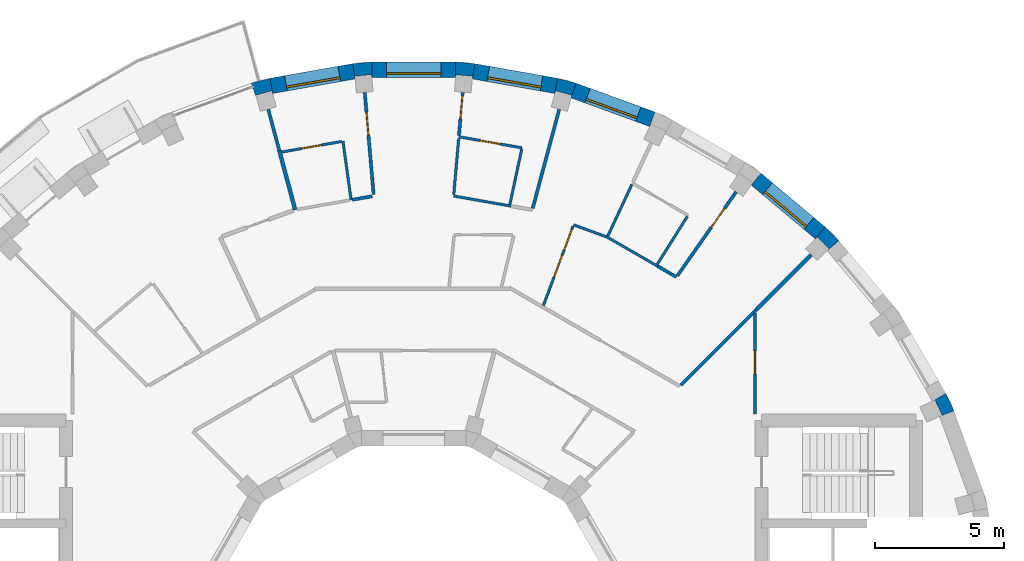
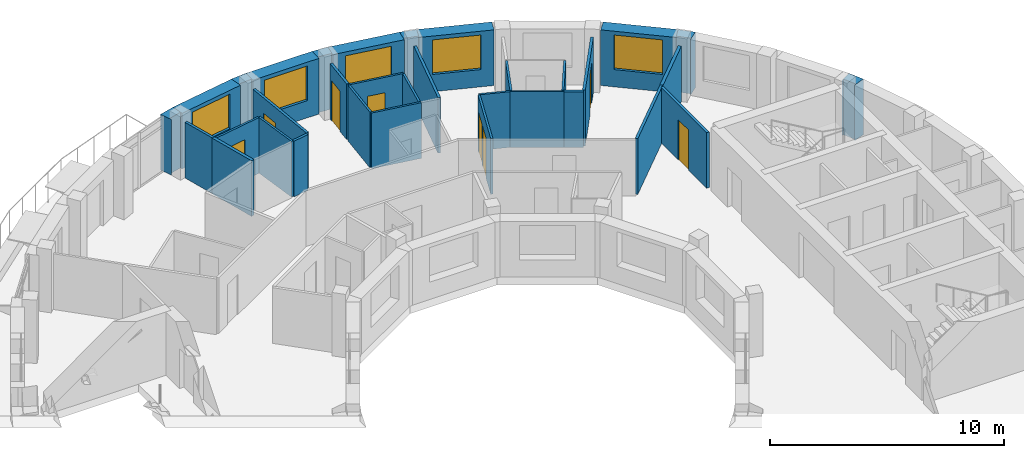
# One storey, part 10 of 12: 33 walls, 8 doors, 5 windows, 13 openings.
"""IFC4 building model written with IfcOpenShell, lengths in metres."""

from ifc_helpers import new_model, si_unit, direction, frame, frame_2d, origin, place, context, subcontext, project, spatial, polyline, rectangle, outline, extrude, material, layer, layer_set, type_object, element, fill, save


model = new_model("IFC4")

# Units and contexts
model_context = context("Model", 3, precision=1e-05, world=origin(), true_north=direction((0.0, 1.0)))
body_context = subcontext(model_context, "Body", "Model", "MODEL_VIEW")
ifc_project = project(units=[si_unit("LENGTHUNIT", "METRE"), si_unit("AREAUNIT", "SQUARE_METRE"), si_unit("VOLUMEUNIT", "CUBIC_METRE"), si_unit("PLANEANGLEUNIT", "RADIAN"), si_unit("MASSUNIT", "GRAM", prefix="KILO")], contexts=[model_context])

# Site, building, storey
site_placement = place(None, origin())
site = spatial("IfcSite", under=ifc_project, at=site_placement, CompositionType="ELEMENT")
building_placement = place(site_placement, origin())
building = spatial("IfcBuilding", under=site, at=building_placement, Name="Saqina Gate Tower", CompositionType="ELEMENT")
storey_placement = place(building_placement, frame((0.0, 0.0, 236.300048828125)))
storey = spatial("IfcBuildingStorey", under=building, at=storey_placement, Name="L67", CompositionType="ELEMENT", Elevation=236.300048828125)

# Walls
ifc_material_1 = material(Name="Brick masonry (buff)", Category="masonry")
wall_type_1 = type_object("IfcWallType", Name="BRICK PIER COPING BUFF", PredefinedType="SOLIDWALL", material=ifc_material_1)
wall_1_placement = place(storey_placement, origin())
element("IfcWall", 1, at=wall_1_placement, inside=storey, type_object=wall_type_1, Name="Pier cap L67 column 3", PredefinedType="SOLIDWALL", context=body_context, shape_type="SweptSolid", body=[
    extrude(outline(polyline([(20.974609375, 9.3642578125), (20.65576171875, 10.048095703125), (20.135986328125, 9.748291015625), (20.23193359375, 9.79296875), (20.506591796875, 9.203857421875), (20.410888671875, 9.1591796875), (20.974609375, 9.3642578125)])), origin(), (0.0, 0.0, 1.0), 2.89990234375),
])
wall_2_placement = place(storey_placement, origin())
element("IfcWall", 2, at=wall_2_placement, inside=storey, type_object=wall_type_1, Name="Pier cap L67 column 5", PredefinedType="SOLIDWALL", context=body_context, shape_type="SweptSolid", body=[
    extrude(outline(polyline([(15.973388671875, 16.5068359375), (15.587646484375, 16.04736328125), (15.662353515625, 16.1220703125), (16.1220703125, 15.662353515625), (16.04736328125, 15.587646484375), (16.5068359375, 15.973388671875), (15.973388671875, 16.5068359375)])), origin(), (0.0, 0.0, 1.0), 2.89990234375),
])
wall_3_placement = place(storey_placement, origin())
element("IfcWall", 3, at=wall_3_placement, inside=storey, type_object=wall_type_1, Name="Pier cap L67 column 8", PredefinedType="SOLIDWALL", context=body_context, shape_type="SweptSolid", body=[
    extrude(outline(polyline([(5.579833984375, 22.281982421875), (5.4755859375, 21.691162109375), (5.5029296875, 21.793212890625), (6.130859375, 21.625), (6.103515625, 21.52294921875), (6.30859375, 22.0869140625), (5.579833984375, 22.281982421875)])), origin(), (0.0, 0.0, 1.0), 2.89990234375),
])
wall_4_placement = place(storey_placement, origin())
element("IfcWall", 4, at=wall_4_placement, inside=storey, type_object=wall_type_1, Name="Pier cap L67 column 9", PredefinedType="SOLIDWALL", context=body_context, shape_type="SweptSolid", body=[
    extrude(outline(polyline([(2.377685546875, 22.8466796875), (1.625732421875, 22.91259765625), (1.625732421875, 22.3125), (1.635009765625, 22.417724609375), (2.28271484375, 22.361083984375), (2.2734375, 22.255859375), (2.377685546875, 22.8466796875)])), origin(), (0.0, 0.0, 1.0), 2.89990234375),
])
wall_5_placement = place(storey_placement, origin())
element("IfcWall", 5, at=wall_5_placement, inside=storey, type_object=wall_type_1, Name="Pier cap L67 column 10", PredefinedType="SOLIDWALL", context=body_context, shape_type="SweptSolid", body=[
    extrude(outline(polyline([(-1.625732421875, 22.91259765625), (-2.377685546875, 22.8466796875), (-2.2734375, 22.255859375), (-2.28271484375, 22.361083984375), (-1.635009765625, 22.417724609375), (-1.625732421875, 22.3125), (-1.625732421875, 22.91259765625)])), origin(), (0.0, 0.0, 1.0), 2.89990234375),
])
wall_6_placement = place(storey_placement, origin())
element("IfcWall", 6, at=wall_6_placement, inside=storey, type_object=wall_type_1, Name="Pier cap L67 column 11", PredefinedType="SOLIDWALL", context=body_context, shape_type="SweptSolid", body=[
    extrude(outline(polyline([(-6.30859375, 22.0869140625), (-6.103515625, 21.52294921875), (-6.130859375, 21.625), (-5.5029296875, 21.793212890625), (-5.4755859375, 21.691162109375), (-5.579833984375, 22.281982421875), (-6.30859375, 22.0869140625)])), origin(), (0.0, 0.0, 1.0), 2.89990234375),
])

# Wall, opening, window
ifc_material_2 = material(Name="Brick masonry (buff)", Category="masonry")
ifc_layer_1 = layer(ifc_material_2, 0.60009765625)
ifc_layer_set_1 = layer_set([ifc_layer_1], Name="FW-BRICK-BUFF")
wall_type_2 = type_object("IfcWallType", Name="FW-BRICK-BUFF", PredefinedType="SOLIDWALL", material=ifc_layer_set_1)
wall_7_placement = place(storey_placement, frame((15.780517578125, 16.277099609375, 0.0), z_axis=(0.0, 0.0, 1.0), x_axis=(-0.766056773982, 0.64277291405, 0.0)))
wall_7 = element("IfcWall", 7, at=wall_7_placement, inside=storey, type_object=wall_type_2, Name="Facade wall L67 facet 5", PredefinedType="SOLIDWALL", context=body_context, shape_type="SweptSolid", body=[
    extrude(rectangle(XDim=3.251708984375, YDim=0.60009765625, at=frame_2d((1.6259765625, 0.0))), origin(), (0.0, 0.0, 1.0), 2.89990234375),
])
opening_1_placement = place(wall_7_placement, frame((0.57568359375, 0.0, 0.89990234375)))
opening_1 = element("IfcOpeningElement", 8, at=opening_1_placement, cuts=wall_7, Name="Opening G19-W03", PredefinedType="OPENING", context=body_context, shape_type="SweptSolid", body=[
    extrude(rectangle(XDim=2.10009765625, YDim=1.800048828125, at=frame_2d((1.050048828125, 0.89990234375))), frame((0.0, 0.31201171875, 0.0), z_axis=(0.0, -1.0, 0.0), x_axis=(1.0, 0.0, 0.0)), (0.0, 0.0, 1.0), 0.6240234375),
])
ifc_material_3 = material(Name="Aluminium glazing", Category="aluminium")
window_type = type_object("IfcWindowType", Name="WN-D", PartitioningType="SINGLE_PANEL", PredefinedType="WINDOW", material=ifc_material_3)
window_1_placement = place(opening_1_placement, origin())
window_1 = element("IfcWindow", 9, at=window_1_placement, inside=storey, type_object=window_type, Name="Window L67 facet 5", OverallHeight=1.800048828125, OverallWidth=2.10009765625, PartitioningType="SINGLE_PANEL", PredefinedType="WINDOW", context=body_context, shape_type="SweptSolid", body=[
    extrude(rectangle(XDim=2.10009765625, YDim=1.800048828125, at=frame_2d((1.050048828125, 0.89990234375))), frame((0.0, 0.179931640625, 0.0), z_axis=(0.0, -1.0, 0.0), x_axis=(1.0, 0.0, 0.0)), (0.0, 0.0, 1.0), 0.06005859375),
])
fill(opening_1, window_1)

wall_8_placement = place(storey_placement, frame((9.26171875, 20.692626953125, 0.0), z_axis=(0.0, 0.0, 1.0), x_axis=(-0.939679383794, 0.342056509473, 0.0)))
wall_8 = element("IfcWall", 10, at=wall_8_placement, inside=storey, type_object=wall_type_2, Name="Facade wall L67 facet 7", PredefinedType="SOLIDWALL", context=body_context, shape_type="SweptSolid", body=[
    extrude(rectangle(XDim=3.251708984375, YDim=0.60009765625, at=frame_2d((1.6259765625, 0.0))), origin(), (0.0, 0.0, 1.0), 2.89990234375),
])
opening_2_placement = place(wall_8_placement, frame((0.57568359375, 0.0, 0.89990234375)))
opening_2 = element("IfcOpeningElement", 11, at=opening_2_placement, cuts=wall_8, Name="Opening G19-W05", PredefinedType="OPENING", context=body_context, shape_type="SweptSolid", body=[
    extrude(rectangle(XDim=2.10009765625, YDim=1.800048828125, at=frame_2d((1.050048828125, 0.89990234375))), frame((0.0, 0.31201171875, 0.0), z_axis=(0.0, -1.0, 0.0), x_axis=(1.0, 0.0, 0.0)), (0.0, 0.0, 1.0), 0.6240234375),
])
window_2_placement = place(opening_2_placement, origin())
window_2 = element("IfcWindow", 12, at=window_2_placement, inside=storey, type_object=window_type, Name="Window L67 facet 7", OverallHeight=1.800048828125, OverallWidth=2.10009765625, PartitioningType="SINGLE_PANEL", PredefinedType="WINDOW", context=body_context, shape_type="SweptSolid", body=[
    extrude(rectangle(XDim=2.10009765625, YDim=1.800048828125, at=frame_2d((1.050048828125, 0.89990234375))), frame((0.0, 0.179931640625, 0.0), z_axis=(0.0, -1.0, 0.0), x_axis=(1.0, 0.0, 0.0)), (0.0, 0.0, 1.0), 0.06005859375),
])
fill(opening_2, window_2)

wall_9_placement = place(storey_placement, frame((5.52783203125, 21.986572265625, 0.0), z_axis=(0.0, 0.0, 1.0), x_axis=(-0.984806225186, 0.173656842178, 0.0)))
wall_9 = element("IfcWall", 13, at=wall_9_placement, inside=storey, type_object=wall_type_2, Name="Facade wall L67 facet 8", PredefinedType="SOLIDWALL", context=body_context, shape_type="SweptSolid", body=[
    extrude(rectangle(XDim=3.251708984375, YDim=0.60009765625, at=frame_2d((1.6259765625, 0.0))), origin(), (0.0, 0.0, 1.0), 2.89990234375),
])
opening_3_placement = place(wall_9_placement, frame((0.57568359375, 0.0, 0.89990234375)))
opening_3 = element("IfcOpeningElement", 14, at=opening_3_placement, cuts=wall_9, Name="Opening G19-W06", PredefinedType="OPENING", context=body_context, shape_type="SweptSolid", body=[
    extrude(rectangle(XDim=2.10009765625, YDim=1.800048828125, at=frame_2d((1.050048828125, 0.89990234375))), frame((0.0, 0.31201171875, 0.0), z_axis=(0.0, -1.0, 0.0), x_axis=(1.0, 0.0, 0.0)), (0.0, 0.0, 1.0), 0.6240234375),
])
window_3_placement = place(opening_3_placement, origin())
window_3 = element("IfcWindow", 15, at=window_3_placement, inside=storey, type_object=window_type, Name="Window L67 facet 8", OverallHeight=1.800048828125, OverallWidth=2.10009765625, PartitioningType="SINGLE_PANEL", PredefinedType="WINDOW", context=body_context, shape_type="SweptSolid", body=[
    extrude(rectangle(XDim=2.10009765625, YDim=1.800048828125, at=frame_2d((1.050048828125, 0.89990234375))), frame((0.0, 0.179931640625, 0.0), z_axis=(0.0, -1.0, 0.0), x_axis=(1.0, 0.0, 0.0)), (0.0, 0.0, 1.0), 0.06005859375),
])
fill(opening_3, window_3)

wall_10_placement = place(storey_placement, frame((1.625732421875, 22.612548828125, 0.0), z_axis=(0.0, 0.0, 1.0), x_axis=(-1.0, 0.0, 0.0)))
wall_10 = element("IfcWall", 16, at=wall_10_placement, inside=storey, type_object=wall_type_2, Name="Facade wall L67 facet 9", PredefinedType="SOLIDWALL", context=body_context, shape_type="SweptSolid", body=[
    extrude(rectangle(XDim=3.25146484375, YDim=0.60009765625, at=frame_2d((1.625732421875, 0.0))), origin(), (0.0, 0.0, 1.0), 2.89990234375),
])
opening_4_placement = place(wall_10_placement, frame((0.57568359375, 0.0, 0.89990234375)))
opening_4 = element("IfcOpeningElement", 17, at=opening_4_placement, cuts=wall_10, Name="Opening G19-W07", PredefinedType="OPENING", context=body_context, shape_type="SweptSolid", body=[
    extrude(rectangle(XDim=2.10009765625, YDim=1.800048828125, at=frame_2d((1.050048828125, 0.89990234375))), frame((0.0, 0.31201171875, 0.0), z_axis=(0.0, -1.0, 0.0), x_axis=(1.0, 0.0, 0.0)), (0.0, 0.0, 1.0), 0.6240234375),
])
window_4_placement = place(opening_4_placement, origin())
window_4 = element("IfcWindow", 18, at=window_4_placement, inside=storey, type_object=window_type, Name="Window L67 facet 9", OverallHeight=1.800048828125, OverallWidth=2.10009765625, PartitioningType="SINGLE_PANEL", PredefinedType="WINDOW", context=body_context, shape_type="SweptSolid", body=[
    extrude(rectangle(XDim=2.10009765625, YDim=1.800048828125, at=frame_2d((1.050048828125, 0.89990234375))), frame((0.0, 0.179931640625, 0.0), z_axis=(0.0, -1.0, 0.0), x_axis=(1.0, 0.0, 0.0)), (0.0, 0.0, 1.0), 0.06005859375),
])
fill(opening_4, window_4)

wall_11_placement = place(storey_placement, frame((-2.325439453125, 22.55126953125, 0.0), z_axis=(0.0, 0.0, 1.0), x_axis=(-0.984806225186, -0.173656842178, 0.0)))
wall_11 = element("IfcWall", 19, at=wall_11_placement, inside=storey, type_object=wall_type_2, Name="Facade wall L67 facet 10", PredefinedType="SOLIDWALL", context=body_context, shape_type="SweptSolid", body=[
    extrude(rectangle(XDim=3.251708984375, YDim=0.60009765625, at=frame_2d((1.6259765625, 0.0))), origin(), (0.0, 0.0, 1.0), 2.89990234375),
])
opening_5_placement = place(wall_11_placement, frame((0.57568359375, 0.0, 0.89990234375)))
opening_5 = element("IfcOpeningElement", 20, at=opening_5_placement, cuts=wall_11, Name="Opening G19-W08", PredefinedType="OPENING", context=body_context, shape_type="SweptSolid", body=[
    extrude(rectangle(XDim=2.10009765625, YDim=1.800048828125, at=frame_2d((1.050048828125, 0.89990234375))), frame((0.0, 0.31201171875, 0.0), z_axis=(0.0, -1.0, 0.0), x_axis=(1.0, 0.0, 0.0)), (0.0, 0.0, 1.0), 0.6240234375),
])
window_5_placement = place(opening_5_placement, origin())
window_5 = element("IfcWindow", 21, at=window_5_placement, inside=storey, type_object=window_type, Name="Window L67 facet 10", OverallHeight=1.800048828125, OverallWidth=2.10009765625, PartitioningType="SINGLE_PANEL", PredefinedType="WINDOW", context=body_context, shape_type="SweptSolid", body=[
    extrude(rectangle(XDim=2.10009765625, YDim=1.800048828125, at=frame_2d((1.050048828125, 0.89990234375))), frame((0.0, 0.179931640625, 0.0), z_axis=(0.0, -1.0, 0.0), x_axis=(1.0, 0.0, 0.0)), (0.0, 0.0, 1.0), 0.06005859375),
])
fill(opening_5, window_5)

# Walls
ifc_material_4 = material(Name="Gypsum board on steel studs, 100 mm", Category="steel")
ifc_layer_2 = layer(ifc_material_4, 0.10009765625)
ifc_layer_set_2 = layer_set([ifc_layer_2], Name="PARTITION 100")
wall_type_3 = type_object("IfcWallType", Name="PARTITION 100", PredefinedType="PARTITIONING", material=ifc_layer_set_2)
wall_12_placement = place(storey_placement, frame((-2.7470703125, 19.8369140625, 0.0), z_axis=(0.0, 0.0, 1.0), x_axis=(0.137351585164, -0.990522358179, 0.0)))
element("IfcWall", 22, at=wall_12_placement, inside=storey, type_object=wall_type_3, Name="PARTITION PW3-02", PredefinedType="PARTITIONING", context=body_context, shape_type="SweptSolid", body=[
    extrude(rectangle(XDim=2.3017578125, YDim=0.10009765625, at=frame_2d((1.15087890625, 0.0))), origin(), (0.0, 0.0, 1.0), 2.89990234375),
])
wall_13_placement = place(storey_placement, frame((7.469970703125, 16.139404296875, 0.0), z_axis=(0.0, 0.0, 1.0), x_axis=(0.866070948836, -0.499921105357, 0.0)))
element("IfcWall", 23, at=wall_13_placement, inside=storey, type_object=wall_type_3, Name="PARTITION PW3-18", PredefinedType="PARTITIONING", context=body_context, shape_type="SweptSolid", body=[
    extrude(rectangle(XDim=2.304931640625, YDim=0.10009765625, at=frame_2d((1.15234375, 0.0))), origin(), (0.0, 0.0, 1.0), 2.89990234375),
])
wall_14_placement = place(storey_placement, frame((6.2041015625, 16.591064453125, 0.0), z_axis=(0.0, 0.0, 1.0), x_axis=(0.939623600186, -0.342209716364, 0.0)))
element("IfcWall", 24, at=wall_14_placement, inside=storey, type_object=wall_type_3, Name="PARTITION PW3-20", PredefinedType="PARTITIONING", context=body_context, shape_type="SweptSolid", body=[
    extrude(rectangle(XDim=1.343994140625, YDim=0.10009765625, at=frame_2d((0.671875, 0.0))), origin(), (0.0, 0.0, 1.0), 2.89990234375),
])
wall_15_placement = place(storey_placement, frame((1.550048828125, 17.7119140625, 0.0), z_axis=(0.0, 0.0, 1.0), x_axis=(0.984859814572, -0.173352662631, 0.0)))
element("IfcWall", 25, at=wall_15_placement, inside=storey, type_object=wall_type_3, Name="PARTITION PW3-23", PredefinedType="PARTITIONING", context=body_context, shape_type="SweptSolid", body=[
    extrude(rectangle(XDim=2.25341796875, YDim=0.10009765625, at=frame_2d((1.126708984375, 0.0))), origin(), (0.0, 0.0, 1.0), 2.89990234375),
])

# Wall, opening, door
wall_16_placement = place(storey_placement, frame((1.7509765625, 20.011962890625, 0.0), z_axis=(0.0, 0.0, 1.0), x_axis=(0.984838792384, -0.173472052547, 0.0)))
wall_16 = element("IfcWall", 26, at=wall_16_placement, inside=storey, type_object=wall_type_3, Name="PARTITION PW3-24", PredefinedType="PARTITIONING", context=body_context, shape_type="SweptSolid", body=[
    extrude(rectangle(XDim=2.48974609375, YDim=0.10009765625, at=frame_2d((1.244873046875, 0.0))), origin(), (0.0, 0.0, 1.0), 2.89990234375),
])
opening_6_placement = place(wall_16_placement, frame((0.844970703125, 0.0, 0.0)))
opening_6 = element("IfcOpeningElement", 27, at=opening_6_placement, cuts=wall_16, Name="Opening G19-D09", PredefinedType="OPENING", context=body_context, shape_type="SweptSolid", body=[
    extrude(rectangle(XDim=0.800048828125, YDim=2.10009765625, at=frame_2d((0.39990234375, 1.050048828125))), frame((0.0, 0.06201171875, 0.0), z_axis=(0.0, -1.0, 0.0), x_axis=(1.0, 0.0, 0.0)), (0.0, 0.0, 1.0), 0.1240234375),
])
ifc_material_5 = material(Name="Timber door leaf, 800 mm", Category="wood")
door_type_1 = type_object("IfcDoorType", Name="DOOR 800 TIMBER", OperationType="SINGLE_SWING_LEFT", PredefinedType="DOOR", material=ifc_material_5)
door_1_placement = place(opening_6_placement, origin())
door_1 = element("IfcDoor", 28, at=door_1_placement, inside=storey, type_object=door_type_1, Name="DOOR G19-D09", OperationType="SINGLE_SWING_RIGHT", OverallHeight=2.10009765625, OverallWidth=0.800048828125, PredefinedType="DOOR", context=body_context, shape_type="SweptSolid", body=[
    extrude(rectangle(XDim=0.800048828125, YDim=2.10009765625, at=frame_2d((0.39990234375, 1.050048828125))), frame((0.0, 0.02490234375, 0.0), z_axis=(0.0, -1.0, 0.0), x_axis=(1.0, 0.0, 0.0)), (0.0, 0.0, 1.0), 0.050048828125),
])
fill(opening_6, door_1)

wall_17_placement = place(storey_placement, frame((-5.125244140625, 19.4169921875, 0.0), z_axis=(0.0, 0.0, 1.0), x_axis=(0.984757568604, 0.173932547494, 0.0)))
wall_17 = element("IfcWall", 29, at=wall_17_placement, inside=storey, type_object=wall_type_3, Name="PARTITION PW3-30", PredefinedType="PARTITIONING", context=body_context, shape_type="SweptSolid", body=[
    extrude(rectangle(XDim=2.365234375, YDim=0.10009765625, at=frame_2d((1.1826171875, 0.0))), origin(), (0.0, 0.0, 1.0), 2.89990234375),
])
opening_7_placement = place(wall_17_placement, frame((0.77001953125, 0.0, 0.0)))
opening_7 = element("IfcOpeningElement", 30, at=opening_7_placement, cuts=wall_17, Name="Opening G19-D15", PredefinedType="OPENING", context=body_context, shape_type="SweptSolid", body=[
    extrude(rectangle(XDim=0.800048828125, YDim=2.10009765625, at=frame_2d((0.39990234375, 1.050048828125))), frame((0.0, 0.06201171875, 0.0), z_axis=(0.0, -1.0, 0.0), x_axis=(1.0, 0.0, 0.0)), (0.0, 0.0, 1.0), 0.1240234375),
])
door_2_placement = place(opening_7_placement, origin())
door_2 = element("IfcDoor", 31, at=door_2_placement, inside=storey, type_object=door_type_1, Name="DOOR G19-D15", OperationType="SINGLE_SWING_LEFT", OverallHeight=2.10009765625, OverallWidth=0.800048828125, PredefinedType="DOOR", context=body_context, shape_type="SweptSolid", body=[
    extrude(rectangle(XDim=0.800048828125, YDim=2.10009765625, at=frame_2d((0.39990234375, 1.050048828125))), frame((0.0, 0.02490234375, 0.0), z_axis=(0.0, -1.0, 0.0), x_axis=(1.0, 0.0, 0.0)), (0.0, 0.0, 1.0), 0.050048828125),
])
fill(opening_7, door_2)

# Walls
wall_18_placement = place(storey_placement, frame((9.456298828125, 15.06494140625, 0.0), z_axis=(0.0, 0.0, 1.0), x_axis=(0.531591455813, 0.847000899708, 0.0)))
element("IfcWall", 32, at=wall_18_placement, inside=storey, type_object=wall_type_3, Name="PARTITION PW3-41", PredefinedType="PARTITIONING", context=body_context, shape_type="SweptSolid", body=[
    extrude(rectangle(XDim=2.189697265625, YDim=0.10009765625, at=frame_2d((1.0947265625, 0.0))), origin(), (0.0, 0.0, 1.0), 2.89990234375),
])
wall_19_placement = place(storey_placement, frame((7.53515625, 16.159423828125, 0.0), z_axis=(0.0, 0.0, 1.0), x_axis=(0.422601095784, 0.906315791456, 0.0)))
element("IfcWall", 33, at=wall_19_placement, inside=storey, type_object=wall_type_3, Name="PARTITION PW3-44", PredefinedType="PARTITIONING", context=body_context, shape_type="SweptSolid", body=[
    extrude(rectangle(XDim=2.209228515625, YDim=0.10009765625, at=frame_2d((1.1044921875, 0.0))), origin(), (0.0, 0.0, 1.0), 2.89990234375),
])

# Wall, openings, doors
wall_20_placement = place(storey_placement, frame((5.031982421875, 13.45947265625, 0.0), z_axis=(0.0, 0.0, 1.0), x_axis=(0.350375066682, 0.936609477129, 0.0)))
wall_20 = element("IfcWall", 34, at=wall_20_placement, inside=storey, type_object=wall_type_3, Name="PARTITION PW3-47", PredefinedType="PARTITIONING", context=body_context, shape_type="SweptSolid", body=[
    extrude(rectangle(XDim=3.28955078125, YDim=0.10009765625, at=frame_2d((1.644775390625, 0.0))), origin(), (0.0, 0.0, 1.0), 2.89990234375),
])
opening_8_placement = place(wall_20_placement, frame((1.188720703125, 0.0, 0.0)))
opening_8 = element("IfcOpeningElement", 35, at=opening_8_placement, cuts=wall_20, Name="Opening G19-D07", PredefinedType="OPENING", context=body_context, shape_type="SweptSolid", body=[
    extrude(rectangle(XDim=0.89990234375, YDim=2.10009765625, at=frame_2d((0.449951171875, 1.050048828125))), frame((0.0, 0.06201171875, 0.0), z_axis=(0.0, -1.0, 0.0), x_axis=(1.0, 0.0, 0.0)), (0.0, 0.0, 1.0), 0.1240234375),
])
opening_9_placement = place(wall_20_placement, frame((2.313720703125, 0.0, 0.0)))
opening_9 = element("IfcOpeningElement", 36, at=opening_9_placement, cuts=wall_20, Name="Opening G19-D08", PredefinedType="OPENING", context=body_context, shape_type="SweptSolid", body=[
    extrude(rectangle(XDim=0.85009765625, YDim=2.10009765625, at=frame_2d((0.425048828125, 1.050048828125))), frame((0.0, 0.06201171875, 0.0), z_axis=(0.0, -1.0, 0.0), x_axis=(1.0, 0.0, 0.0)), (0.0, 0.0, 1.0), 0.1240234375),
])
ifc_material_6 = material(Name="Timber door leaf, 850 mm", Category="wood")
door_type_2 = type_object("IfcDoorType", Name="DOOR 850 TIMBER", OperationType="SINGLE_SWING_LEFT", PredefinedType="DOOR", material=ifc_material_6)
door_3_placement = place(opening_9_placement, origin())
door_3 = element("IfcDoor", 37, at=door_3_placement, inside=storey, type_object=door_type_2, Name="DOOR G19-D08", OperationType="SINGLE_SWING_RIGHT", OverallHeight=2.10009765625, OverallWidth=0.85009765625, PredefinedType="DOOR", context=body_context, shape_type="SweptSolid", body=[
    extrude(rectangle(XDim=0.85009765625, YDim=2.10009765625, at=frame_2d((0.425048828125, 1.050048828125))), frame((0.0, 0.02490234375, 0.0), z_axis=(0.0, -1.0, 0.0), x_axis=(1.0, 0.0, 0.0)), (0.0, 0.0, 1.0), 0.050048828125),
])
fill(opening_9, door_3)
ifc_material_7 = material(Name="Timber door leaf, 900 mm", Category="wood")
door_type_3 = type_object("IfcDoorType", Name="DOOR 900 TIMBER", OperationType="SINGLE_SWING_LEFT", PredefinedType="DOOR", material=ifc_material_7)
door_4_placement = place(opening_8_placement, origin())
door_4 = element("IfcDoor", 38, at=door_4_placement, inside=storey, type_object=door_type_3, Name="DOOR G19-D07", OperationType="SINGLE_SWING_LEFT", OverallHeight=2.10009765625, OverallWidth=0.89990234375, PredefinedType="DOOR", context=body_context, shape_type="SweptSolid", body=[
    extrude(rectangle(XDim=0.89990234375, YDim=2.10009765625, at=frame_2d((0.449951171875, 1.050048828125))), frame((0.0, 0.02490234375, 0.0), z_axis=(0.0, -1.0, 0.0), x_axis=(1.0, 0.0, 0.0)), (0.0, 0.0, 1.0), 0.050048828125),
])
fill(opening_8, door_4)

# Walls
wall_21_placement = place(storey_placement, frame((3.73046875, 17.37890625, 0.0), z_axis=(0.0, 0.0, 1.0), x_axis=(0.209960822615, 0.977709799975, 0.0)))
element("IfcWall", 39, at=wall_21_placement, inside=storey, type_object=wall_type_3, Name="PARTITION PW3-51", PredefinedType="PARTITIONING", context=body_context, shape_type="SweptSolid", body=[
    extrude(rectangle(XDim=2.201171875, YDim=0.10009765625, at=frame_2d((1.1005859375, 0.0))), origin(), (0.0, 0.0, 1.0), 2.89990234375),
])
wall_22_placement = place(storey_placement, frame((1.554443359375, 17.7626953125, 0.0), z_axis=(0.0, 0.0, 1.0), x_axis=(0.087075900377, 0.99620168017, 0.0)))
element("IfcWall", 40, at=wall_22_placement, inside=storey, type_object=wall_type_3, Name="PARTITION PW3-55", PredefinedType="PARTITIONING", context=body_context, shape_type="SweptSolid", body=[
    extrude(rectangle(XDim=2.1953125, YDim=0.10009765625, at=frame_2d((1.09765625, 0.0))), origin(), (0.0, 0.0, 1.0), 2.89990234375),
])

# Wall, opening, door
ifc_material_8 = material(Name="Gypsum board on steel studs, 125 mm, fire rated", Category="steel")
ifc_layer_3 = layer(ifc_material_8, 0.125)
ifc_layer_set_3 = layer_set([ifc_layer_3], Name="PARTITION EI 30 125")
wall_type_4 = type_object("IfcWallType", Name="PARTITION EI 30 125", PredefinedType="PARTITIONING", material=ifc_layer_set_3)
wall_23_placement = place(storey_placement, frame((-1.901611328125, 21.73193359375, 0.0), z_axis=(0.0, 0.0, 1.0), x_axis=(0.086672056797, -0.996236896813, 0.0)))
wall_23 = element("IfcWall", 41, at=wall_23_placement, inside=storey, type_object=wall_type_4, Name="PARTITION PW1-01", PredefinedType="PARTITIONING", context=body_context, shape_type="SweptSolid", body=[
    extrude(rectangle(XDim=3.9716796875, YDim=0.125, at=frame_2d((1.98583984375, 0.0))), origin(), (0.0, 0.0, 1.0), 2.89990234375),
])
opening_10_placement = place(wall_23_placement, frame((0.775390625, 0.0, 0.0)))
opening_10 = element("IfcOpeningElement", 42, at=opening_10_placement, cuts=wall_23, Name="Opening G19-D13", PredefinedType="OPENING", context=body_context, shape_type="SweptSolid", body=[
    extrude(rectangle(XDim=0.89990234375, YDim=2.10009765625, at=frame_2d((0.449951171875, 1.050048828125))), frame((0.0, 0.074462890625, 0.0), z_axis=(0.0, -1.0, 0.0), x_axis=(1.0, 0.0, 0.0)), (0.0, 0.0, 1.0), 0.14892578125),
])
ifc_material_9 = material(Name="Fire door leaf EI 30, 900 mm")
door_type_4 = type_object("IfcDoorType", Name="DOOR 900 EI 30", OperationType="SINGLE_SWING_LEFT", PredefinedType="DOOR", material=ifc_material_9)
door_5_placement = place(opening_10_placement, origin())
door_5 = element("IfcDoor", 43, at=door_5_placement, inside=storey, type_object=door_type_4, Name="DOOR G19-D13", OperationType="SINGLE_SWING_LEFT", OverallHeight=2.10009765625, OverallWidth=0.89990234375, PredefinedType="DOOR", context=body_context, shape_type="SweptSolid", body=[
    extrude(rectangle(XDim=0.89990234375, YDim=2.10009765625, at=frame_2d((0.449951171875, 1.050048828125))), frame((0.0, 0.02490234375, 0.0), z_axis=(0.0, -1.0, 0.0), x_axis=(1.0, 0.0, 0.0)), (0.0, 0.0, 1.0), 0.050048828125),
])
fill(opening_10, door_5)

# Walls
wall_24_placement = place(storey_placement, frame((-5.64599609375, 21.07177734375, 0.0), z_axis=(0.0, 0.0, 1.0), x_axis=(0.258849385643, -0.965917696055, 0.0)))
element("IfcWall", 44, at=wall_24_placement, inside=storey, type_object=wall_type_4, Name="PARTITION PW1-02", PredefinedType="PARTITIONING", context=body_context, shape_type="SweptSolid", body=[
    extrude(rectangle(XDim=1.651611328125, YDim=0.125, at=frame_2d((0.82568359375, 0.0))), origin(), (0.0, 0.0, 1.0), 2.89990234375),
])
wall_25_placement = place(storey_placement, frame((9.46630859375, 14.987060546875, 0.0), z_axis=(0.0, 0.0, 1.0), x_axis=(0.866185586049, -0.49972245349, 0.0)))
element("IfcWall", 45, at=wall_25_placement, inside=storey, type_object=wall_type_4, Name="PARTITION PW1-13", PredefinedType="PARTITIONING", context=body_context, shape_type="SweptSolid", body=[
    extrude(rectangle(XDim=0.8427734375, YDim=0.125, at=frame_2d((0.42138671875, 0.0))), origin(), (0.0, 0.0, 1.0), 2.89990234375),
])
wall_26_placement = place(storey_placement, frame((-2.3818359375, 17.565673828125, 0.0), z_axis=(0.0, 0.0, 1.0), x_axis=(0.984877691651, 0.173251067786, 0.0)))
element("IfcWall", 46, at=wall_26_placement, inside=storey, type_object=wall_type_4, Name="PARTITION PW1-22", PredefinedType="PARTITIONING", context=body_context, shape_type="SweptSolid", body=[
    extrude(rectangle(XDim=0.781982421875, YDim=0.125, at=frame_2d((0.39111328125, 0.0))), origin(), (0.0, 0.0, 1.0), 2.89990234375),
])
wall_27_placement = place(storey_placement, frame((10.373291015625, 10.373291015625, 0.0), z_axis=(0.0, 0.0, 1.0), x_axis=(0.707106781187, 0.707106781187, 0.0)))
element("IfcWall", 47, at=wall_27_placement, inside=storey, type_object=wall_type_4, Name="PARTITION PW1-32", PredefinedType="PARTITIONING", context=body_context, shape_type="SweptSolid", body=[
    extrude(rectangle(XDim=4.130859375, YDim=0.125, at=frame_2d((2.0654296875, 0.0))), origin(), (0.0, 0.0, 1.0), 2.89990234375),
])

# Wall, opening, door
wall_28_placement = place(storey_placement, frame((10.23388671875, 14.6162109375, 0.0), z_axis=(0.0, 0.0, 1.0), x_axis=(0.573631457717, 0.81911351516, 0.0)))
wall_28 = element("IfcWall", 48, at=wall_28_placement, inside=storey, type_object=wall_type_4, Name="PARTITION PW1-34", PredefinedType="PARTITIONING", context=body_context, shape_type="SweptSolid", body=[
    extrude(rectangle(XDim=3.97216796875, YDim=0.125, at=frame_2d((1.986083984375, 0.0))), origin(), (0.0, 0.0, 1.0), 2.89990234375),
])
opening_11_placement = place(wall_28_placement, frame((2.2958984375, 0.0, 0.0)))
opening_11 = element("IfcOpeningElement", 49, at=opening_11_placement, cuts=wall_28, Name="Opening G19-D03", PredefinedType="OPENING", context=body_context, shape_type="SweptSolid", body=[
    extrude(rectangle(XDim=0.89990234375, YDim=2.10009765625, at=frame_2d((0.449951171875, 1.050048828125))), frame((0.0, 0.074462890625, 0.0), z_axis=(0.0, -1.0, 0.0), x_axis=(1.0, 0.0, 0.0)), (0.0, 0.0, 1.0), 0.14892578125),
])
door_6_placement = place(opening_11_placement, frame((0.89990234375, 0.0, 0.0), z_axis=(0.0, 0.0, 1.0), x_axis=(-1.0, 0.0, 0.0)))
door_6 = element("IfcDoor", 50, at=door_6_placement, inside=storey, type_object=door_type_4, Name="DOOR G19-D03", OperationType="SINGLE_SWING_LEFT", OverallHeight=2.10009765625, OverallWidth=0.89990234375, PredefinedType="DOOR", context=body_context, shape_type="SweptSolid", body=[
    extrude(rectangle(XDim=0.89990234375, YDim=2.10009765625, at=frame_2d((0.449951171875, 1.050048828125))), frame((0.0, 0.02490234375, 0.0), z_axis=(0.0, -1.0, 0.0), x_axis=(1.0, 0.0, 0.0)), (0.0, 0.0, 1.0), 0.050048828125),
])
fill(opening_11, door_6)

# Wall
wall_29_placement = place(storey_placement, frame((4.619140625, 17.234130859375, 0.0), z_axis=(0.0, 0.0, 1.0), x_axis=(0.258553809463, 0.965996856937, 0.0)))
element("IfcWall", 51, at=wall_29_placement, inside=storey, type_object=wall_type_4, Name="PARTITION PW1-38", PredefinedType="PARTITIONING", context=body_context, shape_type="SweptSolid", body=[
    extrude(rectangle(XDim=3.972412109375, YDim=0.125, at=frame_2d((1.986328125, 0.0))), origin(), (0.0, 0.0, 1.0), 2.89990234375),
])

# Wall, opening, door
wall_30_placement = place(storey_placement, frame((1.75634765625, 20.061767578125, 0.0), z_axis=(0.0, 0.0, 1.0), x_axis=(0.086648468713, 0.996238948681, 0.0)))
wall_30 = element("IfcWall", 52, at=wall_30_placement, inside=storey, type_object=wall_type_4, Name="PARTITION PW1-39", PredefinedType="PARTITIONING", context=body_context, shape_type="SweptSolid", body=[
    extrude(rectangle(XDim=1.676513671875, YDim=0.125, at=frame_2d((0.83837890625, 0.0))), origin(), (0.0, 0.0, 1.0), 2.89990234375),
])
opening_12_placement = place(wall_30_placement, frame((0.654296875, 0.0, 0.0)))
opening_12 = element("IfcOpeningElement", 53, at=opening_12_placement, cuts=wall_30, Name="Opening G19-D11", PredefinedType="OPENING", context=body_context, shape_type="SweptSolid", body=[
    extrude(rectangle(XDim=0.89990234375, YDim=2.10009765625, at=frame_2d((0.449951171875, 1.050048828125))), frame((0.0, 0.074462890625, 0.0), z_axis=(0.0, -1.0, 0.0), x_axis=(1.0, 0.0, 0.0)), (0.0, 0.0, 1.0), 0.14892578125),
])
door_7_placement = place(opening_12_placement, origin())
door_7 = element("IfcDoor", 54, at=door_7_placement, inside=storey, type_object=door_type_4, Name="DOOR G19-D11", OperationType="SINGLE_SWING_RIGHT", OverallHeight=2.10009765625, OverallWidth=0.89990234375, PredefinedType="DOOR", context=body_context, shape_type="SweptSolid", body=[
    extrude(rectangle(XDim=0.89990234375, YDim=2.10009765625, at=frame_2d((0.449951171875, 1.050048828125))), frame((0.0, 0.02490234375, 0.0), z_axis=(0.0, -1.0, 0.0), x_axis=(1.0, 0.0, 0.0)), (0.0, 0.0, 1.0), 0.050048828125),
])
fill(opening_12, door_7)

wall_31_placement = place(storey_placement, frame((13.25, 9.25, 0.0), z_axis=(0.0, 0.0, 1.0), x_axis=(0.0, 1.0, 0.0)))
wall_31 = element("IfcWall", 55, at=wall_31_placement, inside=storey, type_object=wall_type_4, Name="PARTITION PW1-41", PredefinedType="PARTITIONING", context=body_context, shape_type="SweptSolid", body=[
    extrude(rectangle(XDim=3.925048828125, YDim=0.125, at=frame_2d((1.96240234375, 0.0))), origin(), (0.0, 0.0, 1.0), 2.89990234375),
])
opening_13_placement = place(wall_31_placement, frame((1.550048828125, 0.0, 0.0)))
opening_13 = element("IfcOpeningElement", 56, at=opening_13_placement, cuts=wall_31, Name="Opening G19-D01", PredefinedType="OPENING", context=body_context, shape_type="SweptSolid", body=[
    extrude(rectangle(XDim=0.89990234375, YDim=2.10009765625, at=frame_2d((0.449951171875, 1.050048828125))), frame((0.0, 0.074462890625, 0.0), z_axis=(0.0, -1.0, 0.0), x_axis=(1.0, 0.0, 0.0)), (0.0, 0.0, 1.0), 0.14892578125),
])
door_8_placement = place(opening_13_placement, frame((0.89990234375, 0.0, 0.0), z_axis=(0.0, 0.0, 1.0), x_axis=(-1.0, 0.0, 0.0)))
door_8 = element("IfcDoor", 57, at=door_8_placement, inside=storey, type_object=door_type_4, Name="DOOR G19-D01", OperationType="SINGLE_SWING_LEFT", OverallHeight=2.10009765625, OverallWidth=0.89990234375, PredefinedType="DOOR", context=body_context, shape_type="SweptSolid", body=[
    extrude(rectangle(XDim=0.89990234375, YDim=2.10009765625, at=frame_2d((0.449951171875, 1.050048828125))), frame((0.0, 0.02490234375, 0.0), z_axis=(0.0, -1.0, 0.0), x_axis=(1.0, 0.0, 0.0)), (0.0, 0.0, 1.0), 0.050048828125),
])
fill(opening_13, door_8)

# Walls
ifc_material_10 = material(Name="Gypsum board on steel studs, 150 mm, fire rated", Category="steel")
ifc_layer_4 = layer(ifc_material_10, 0.14990234375)
ifc_layer_set_4 = layer_set([ifc_layer_4], Name="PARTITION EI 60 150")
wall_type_5 = type_object("IfcWallType", Name="PARTITION EI 60 150", PredefinedType="PARTITIONING", material=ifc_layer_set_4)
wall_32_placement = place(storey_placement, frame((-5.218505859375, 19.4765625, 0.0), z_axis=(0.0, 0.0, 1.0), x_axis=(0.258503998493, -0.966010187712, 0.0)))
element("IfcWall", 58, at=wall_32_placement, inside=storey, type_object=wall_type_5, Name="PARTITION PW2-02", PredefinedType="PARTITIONING", context=body_context, shape_type="SweptSolid", body=[
    extrude(rectangle(XDim=2.3837890625, YDim=0.14990234375, at=frame_2d((1.19189453125, 0.0))), origin(), (0.0, 0.0, 1.0), 2.89990234375),
])
wall_33_placement = place(storey_placement, frame((13.294189453125, 13.294189453125, 0.0), z_axis=(0.0, 0.0, 1.0), x_axis=(0.707106781187, 0.707106781187, 0.0)))
element("IfcWall", 59, at=wall_33_placement, inside=storey, type_object=wall_type_5, Name="PARTITION PW2-08", PredefinedType="PARTITIONING", context=body_context, shape_type="SweptSolid", body=[
    extrude(rectangle(XDim=3.01416015625, YDim=0.14990234375, at=frame_2d((1.507080078125, 0.0))), origin(), (0.0, 0.0, 1.0), 2.89990234375),
])

save(model, "model.ifc")
